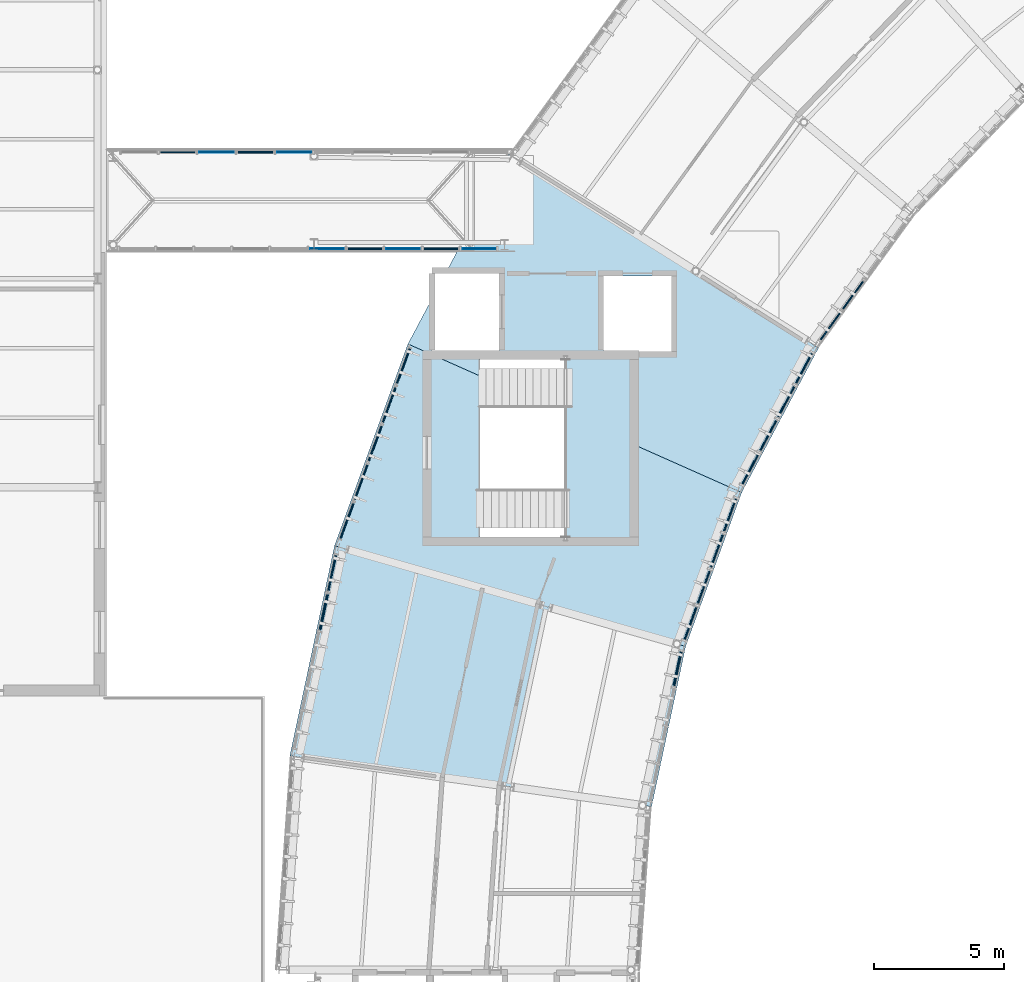
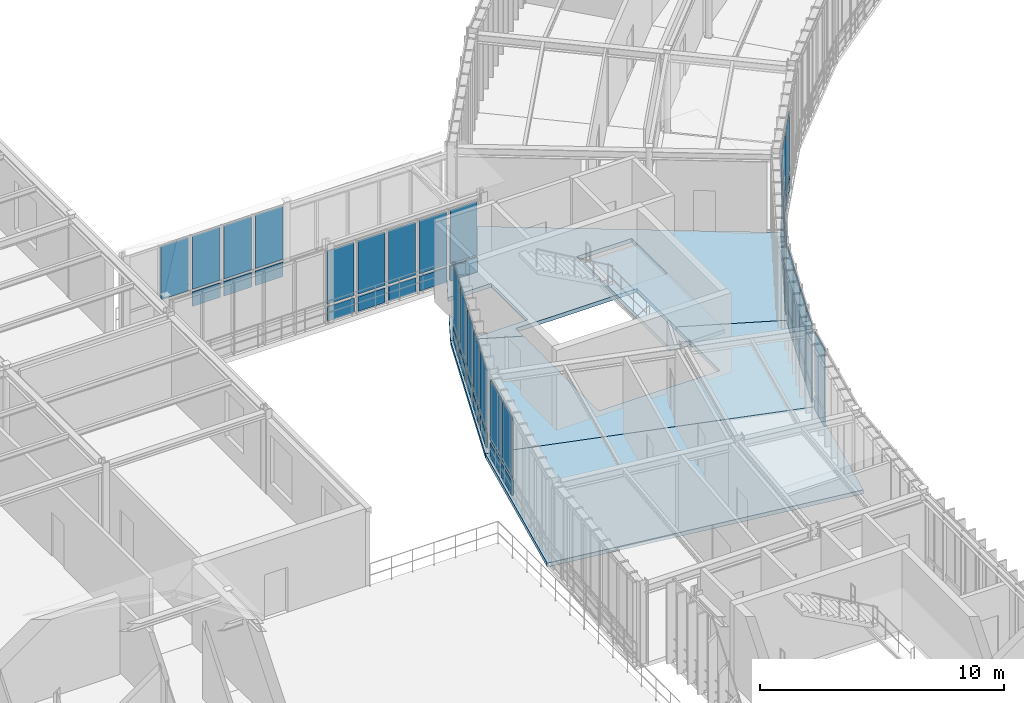
# One storey, part 25 of 52: 53 plates, 4 slabs, 9 elements without a shape of their own.
"""IFC4 building model written with IfcOpenShell, lengths in metres."""

from ifc_helpers import new_model, si_unit, direction, frame, origin, origin_2d, place, context, subcontext, project, spatial, polyline, rectangle, outline, extrude, material, layer, layer_set, type_object, element, aggregate, save


model = new_model("IFC4")

# Units and contexts
model_context = context("Model", 3, precision=1e-05, world=origin(), true_north=direction((0.0, 1.0)))
body_context = subcontext(model_context, "Body", "Model", "MODEL_VIEW")
ifc_project = project(units=[si_unit("LENGTHUNIT", "METRE"), si_unit("AREAUNIT", "SQUARE_METRE"), si_unit("VOLUMEUNIT", "CUBIC_METRE"), si_unit("PLANEANGLEUNIT", "RADIAN"), si_unit("MASSUNIT", "GRAM", prefix="KILO"), si_unit("THERMODYNAMICTEMPERATUREUNIT", "KELVIN"), si_unit("POWERUNIT", "WATT")], contexts=[model_context])

# Site, building, storey
site_placement = place(None, origin())
site = spatial("IfcSite", under=ifc_project, at=site_placement, CompositionType="ELEMENT")
building_placement = place(site_placement, origin())
building = spatial("IfcBuilding", under=site, at=building_placement, Name="Solvatero Civic Police Headquarters", CompositionType="ELEMENT")
storey_placement = place(building_placement, frame((0.0, 0.0, 13.5)))
storey = spatial("IfcBuildingStorey", under=building, at=storey_placement, Name="L03", CompositionType="ELEMENT", Elevation=13.5)

# Curtain wall, plate
ifc_material_1 = material(Name="Anodized Bronze Aluminium", Category="aluminium")
ifc_layer_1 = layer(ifc_material_1, 0.179931640625)
ifc_layer_set_1 = layer_set([ifc_layer_1], Name="Anodized Bronze Aluminium")
curtain_wall_type_1 = type_object("IfcCurtainWallType", Name="CW-ARC-IN", PredefinedType="USERDEFINED", material=ifc_layer_set_1)
curtain_wall_1_placement = place(storey_placement, origin())
curtain_wall_1 = element("IfcCurtainWall", 1, at=curtain_wall_1_placement, inside=storey, type_object=curtain_wall_type_1, Name="Curtain Wall CW-R2-L03-ARC-IN-B08", ObjectType="UNITISED", PredefinedType="USERDEFINED")
ifc_material_2 = material(Name="Triple Low-E Laminated Glass", Category="glass")
ifc_layer_2 = layer(ifc_material_2, 0.0380859375)
ifc_layer_set_2 = layer_set([ifc_layer_2], Name="Triple Low-E Laminated Glass")
plate_type_1 = type_object("IfcPlateType", Name="CWP-GLZ-38", PredefinedType="CURTAIN_PANEL", material=ifc_layer_set_2)
plate_1_placement = place(storey_placement, frame((57.156494140625, 51.864990234375, 0.91015625), z_axis=(0.0, 0.0, 1.0), x_axis=(-0.587771132193, -0.80902725304, 0.0)))
plate_1 = element("IfcPlate", 2, at=plate_1_placement, type_object=plate_type_1, Name="CW-R2-L03-ARC-IN-B08 Vision Glazing 3", PredefinedType="CURTAIN_PANEL", context=body_context, shape_type="SweptSolid", body=[
    extrude(rectangle(XDim=1.28173828125, YDim=0.0380859375, at=origin_2d()), origin(), (0.0, 0.0, 1.0), 3.030029296875),
])

# Curtain wall, plates
curtain_wall_2_placement = place(storey_placement, origin())
curtain_wall_2 = element("IfcCurtainWall", 3, at=curtain_wall_2_placement, inside=storey, type_object=curtain_wall_type_1, Name="Curtain Wall CW-R2-L03-ARC-IN-B09", ObjectType="UNITISED", PredefinedType="USERDEFINED")
plate_2_placement = place(storey_placement, frame((54.6015625, 47.776123046875, 0.91015625), z_axis=(0.0, 0.0, 1.0), x_axis=(-0.469486973057, -0.8829393989, 0.0)))
plate_2 = element("IfcPlate", 4, at=plate_2_placement, type_object=plate_type_1, Name="CW-R2-L03-ARC-IN-B09 Vision Glazing 2", PredefinedType="CURTAIN_PANEL", context=body_context, shape_type="SweptSolid", body=[
    extrude(rectangle(XDim=1.28173828125, YDim=0.0380859375, at=origin_2d()), origin(), (0.0, 0.0, 1.0), 3.030029296875),
])
plate_3_placement = place(storey_placement, frame((53.22900390625, 45.195068359375, 0.91015625), z_axis=(0.0, 0.0, 1.0), x_axis=(-0.469486973057, -0.8829393989, 0.0)))
plate_3 = element("IfcPlate", 5, at=plate_3_placement, type_object=plate_type_1, Name="CW-R2-L03-ARC-IN-B09 Vision Glazing 4", PredefinedType="CURTAIN_PANEL", context=body_context, shape_type="SweptSolid", body=[
    extrude(rectangle(XDim=1.28173828125, YDim=0.0380859375, at=origin_2d()), origin(), (0.0, 0.0, 1.0), 3.030029296875),
])

ifc_layer_3 = layer(ifc_material_1, 0.179931640625)
ifc_layer_set_3 = layer_set([ifc_layer_3], Name="Anodized Bronze Aluminium")
curtain_wall_type_2 = type_object("IfcCurtainWallType", Name="CW-ARC-OUT", PredefinedType="USERDEFINED", material=ifc_layer_set_3)
curtain_wall_3_placement = place(storey_placement, origin())
curtain_wall_3 = element("IfcCurtainWall", 6, at=curtain_wall_3_placement, inside=storey, type_object=curtain_wall_type_2, Name="Curtain Wall CW-R2-L03-ARC-OUT-B10", ObjectType="UNITISED", PredefinedType="USERDEFINED")
plate_4_placement = place(storey_placement, frame((39.919921875, 49.150146484375, 0.91015625), z_axis=(0.0, 0.0, 1.0), x_axis=(-0.342020143326, -0.939692620786, 0.0)))
plate_4 = element("IfcPlate", 7, at=plate_4_placement, type_object=plate_type_1, Name="CW-R2-L03-ARC-OUT-B10 Vision Glazing 1", PredefinedType="CURTAIN_PANEL", context=body_context, shape_type="SweptSolid", body=[
    extrude(rectangle(XDim=1.399658203125, YDim=0.0380859375, at=origin_2d()), origin(), (0.0, 0.0, 1.0), 3.030029296875),
])
plate_5_placement = place(storey_placement, frame((38.839111328125, 46.18115234375, 0.91015625), z_axis=(0.0, 0.0, 1.0), x_axis=(-0.342020143326, -0.939692620786, 0.0)))
plate_5 = element("IfcPlate", 8, at=plate_5_placement, type_object=plate_type_1, Name="CW-R2-L03-ARC-OUT-B10 Vision Glazing 3", PredefinedType="CURTAIN_PANEL", context=body_context, shape_type="SweptSolid", body=[
    extrude(rectangle(XDim=1.399658203125, YDim=0.0380859375, at=origin_2d()), origin(), (0.0, 0.0, 1.0), 3.030029296875),
])
plate_6_placement = place(storey_placement, frame((37.758544921875, 43.21240234375, 0.91015625), z_axis=(0.0, 0.0, 1.0), x_axis=(-0.342020143326, -0.939692620786, 0.0)))
plate_6 = element("IfcPlate", 9, at=plate_6_placement, type_object=plate_type_1, Name="CW-R2-L03-ARC-OUT-B10 Vision Glazing 5", PredefinedType="CURTAIN_PANEL", context=body_context, shape_type="SweptSolid", body=[
    extrude(rectangle(XDim=1.399658203125, YDim=0.0380859375, at=origin_2d()), origin(), (0.0, 0.0, 1.0), 3.030029296875),
])

curtain_wall_4_placement = place(storey_placement, origin())
curtain_wall_4 = element("IfcCurtainWall", 10, at=curtain_wall_4_placement, inside=storey, type_object=curtain_wall_type_1, Name="Curtain Wall CW-R2-L03-ARC-IN-B10", ObjectType="UNITISED", PredefinedType="USERDEFINED")
plate_7_placement = place(storey_placement, frame((51.9462890625, 42.058837890625, 0.91015625), z_axis=(0.0, 0.0, 1.0), x_axis=(-0.342020143326, -0.939692620786, 0.0)))
plate_7 = element("IfcPlate", 11, at=plate_7_placement, type_object=plate_type_1, Name="CW-R2-L03-ARC-IN-B10 Vision Glazing 2", PredefinedType="CURTAIN_PANEL", context=body_context, shape_type="SweptSolid", body=[
    extrude(rectangle(XDim=1.297607421875, YDim=0.0380859375, at=origin_2d()), origin(), (0.0, 0.0, 1.0), 3.030029296875),
])
plate_8_placement = place(storey_placement, frame((50.935546875, 39.28173828125, 0.91015625), z_axis=(0.0, 0.0, 1.0), x_axis=(-0.342020143326, -0.939692620786, 0.0)))
plate_8 = element("IfcPlate", 12, at=plate_8_placement, type_object=plate_type_1, Name="CW-R2-L03-ARC-IN-B10 Vision Glazing 4", PredefinedType="CURTAIN_PANEL", context=body_context, shape_type="SweptSolid", body=[
    extrude(rectangle(XDim=1.297607421875, YDim=0.0380859375, at=origin_2d()), origin(), (0.0, 0.0, 1.0), 3.030029296875),
])

# Curtain wall, plate
curtain_wall_5_placement = place(storey_placement, origin())
curtain_wall_5 = element("IfcCurtainWall", 13, at=curtain_wall_5_placement, inside=storey, type_object=curtain_wall_type_2, Name="Curtain Wall CW-R2-L03-ARC-OUT-B11", ObjectType="UNITISED", PredefinedType="USERDEFINED")
plate_9_placement = place(storey_placement, frame((37.1875, 41.2255859375, 0.91015625), z_axis=(0.0, 0.0, 1.0), x_axis=(-0.207928762682, -0.978143971841, 0.0)))
plate_9 = element("IfcPlate", 14, at=plate_9_placement, type_object=plate_type_1, Name="CW-R2-L03-ARC-OUT-B11 Vision Glazing 1", PredefinedType="CURTAIN_PANEL", context=body_context, shape_type="SweptSolid", body=[
    extrude(rectangle(XDim=1.360595703125, YDim=0.0380859375, at=origin_2d()), origin(), (0.0, 0.0, 1.0), 3.030029296875),
])

# Curtain wall, plates
ifc_layer_4 = layer(ifc_material_1, 0.179931640625)
ifc_layer_set_4 = layer_set([ifc_layer_4], Name="Anodized Bronze Aluminium")
curtain_wall_type_3 = type_object("IfcCurtainWallType", Name="CW-SB-GLZ", PredefinedType="USERDEFINED", material=ifc_layer_set_4)
curtain_wall_6_placement = place(storey_placement, origin())
curtain_wall_6 = element("IfcCurtainWall", 15, at=curtain_wall_6_placement, inside=storey, type_object=curtain_wall_type_3, Name="Curtain Wall CW-R2-L03-SB1-S", ObjectType="UNITISED", PredefinedType="USERDEFINED")
plate_10_placement = place(storey_placement, frame((36.997314453125, 53.64990234375, 0.91015625), z_axis=(0.0, 0.0, 1.0), x_axis=(1.0, 0.0, 0.0)))
plate_10 = element("IfcPlate", 16, at=plate_10_placement, type_object=plate_type_1, Name="CW-R2-L03-SB1-S Vision Glazing 6", PredefinedType="CURTAIN_PANEL", context=body_context, shape_type="SweptSolid", body=[
    extrude(rectangle(XDim=1.2783203125, YDim=0.0380859375, at=origin_2d()), origin(), (0.0, 0.0, 1.0), 2.679931640625),
])
plate_11_placement = place(storey_placement, frame((39.9140625, 53.64990234375, 0.91015625), z_axis=(0.0, 0.0, 1.0), x_axis=(1.0, 0.0, 0.0)))
plate_11 = element("IfcPlate", 17, at=plate_11_placement, type_object=plate_type_1, Name="CW-R2-L03-SB1-S Vision Glazing 8", PredefinedType="CURTAIN_PANEL", context=body_context, shape_type="SweptSolid", body=[
    extrude(rectangle(XDim=1.2783203125, YDim=0.0380859375, at=origin_2d()), origin(), (0.0, 0.0, 1.0), 2.679931640625),
])
plate_12_placement = place(storey_placement, frame((42.830810546875, 53.64990234375, 0.91015625), z_axis=(0.0, 0.0, 1.0), x_axis=(1.0, 0.0, 0.0)))
plate_12 = element("IfcPlate", 18, at=plate_12_placement, type_object=plate_type_1, Name="CW-R2-L03-SB1-S Vision Glazing 10", PredefinedType="CURTAIN_PANEL", context=body_context, shape_type="SweptSolid", body=[
    extrude(rectangle(XDim=1.2783203125, YDim=0.0380859375, at=origin_2d()), origin(), (0.0, 0.0, 1.0), 2.679931640625),
])

curtain_wall_7_placement = place(storey_placement, origin())
curtain_wall_7 = element("IfcCurtainWall", 19, at=curtain_wall_7_placement, inside=storey, type_object=curtain_wall_type_3, Name="Curtain Wall CW-R2-L03-SB1-N", ObjectType="UNITISED", PredefinedType="USERDEFINED")
plate_13_placement = place(storey_placement, frame((32.764892578125, 57.35009765625, 0.91015625), z_axis=(0.0, 0.0, 1.0), x_axis=(1.0, 0.0, 0.0)))
plate_13 = element("IfcPlate", 20, at=plate_13_placement, type_object=plate_type_1, Name="CW-R2-L03-SB1-N Vision Glazing 3", PredefinedType="CURTAIN_PANEL", context=body_context, shape_type="SweptSolid", body=[
    extrude(rectangle(XDim=1.31005859375, YDim=0.0380859375, at=origin_2d()), origin(), (0.0, 0.0, 1.0), 2.679931640625),
])
plate_14_placement = place(storey_placement, frame((35.7451171875, 57.35009765625, 0.91015625), z_axis=(0.0, 0.0, 1.0), x_axis=(1.0, 0.0, 0.0)))
plate_14 = element("IfcPlate", 21, at=plate_14_placement, type_object=plate_type_1, Name="CW-R2-L03-SB1-N Vision Glazing 5", PredefinedType="CURTAIN_PANEL", context=body_context, shape_type="SweptSolid", body=[
    extrude(rectangle(XDim=1.31005859375, YDim=0.0380859375, at=origin_2d()), origin(), (0.0, 0.0, 1.0), 2.679931640625),
])

# Plate
ifc_material_3 = material(Name="Acoustic Ballistic Laminated Glass", Category="glass")
ifc_layer_5 = layer(ifc_material_3, 0.0439453125)
ifc_layer_set_5 = layer_set([ifc_layer_5], Name="Acoustic Ballistic Laminated Glass")
plate_type_2 = type_object("IfcPlateType", Name="CWP-GLZ-44", PredefinedType="CURTAIN_PANEL", material=ifc_layer_set_5)
plate_15_placement = place(storey_placement, frame((56.297119140625, 50.682373046875, 0.91015625), z_axis=(0.0, 0.0, 1.0), x_axis=(-0.587771132193, -0.80902725304, 0.0)))
plate_15 = element("IfcPlate", 22, at=plate_15_placement, type_object=plate_type_2, Name="CW-R2-L03-ARC-IN-B08 Vision Glazing 4", PredefinedType="CURTAIN_PANEL", context=body_context, shape_type="SweptSolid", body=[
    extrude(rectangle(XDim=1.28173828125, YDim=0.0439453125, at=origin_2d()), origin(), (0.0, 0.0, 1.0), 3.030029296875),
])

plate_16_placement = place(storey_placement, frame((55.287841796875, 49.06689453125, 0.91015625), z_axis=(0.0, 0.0, 1.0), x_axis=(-0.469486973057, -0.8829393989, 0.0)))
plate_16 = element("IfcPlate", 23, at=plate_16_placement, type_object=plate_type_2, Name="CW-R2-L03-ARC-IN-B09 Vision Glazing 1", PredefinedType="CURTAIN_PANEL", context=body_context, shape_type="SweptSolid", body=[
    extrude(rectangle(XDim=1.28173828125, YDim=0.0439453125, at=origin_2d()), origin(), (0.0, 0.0, 1.0), 3.030029296875),
])

plate_17_placement = place(storey_placement, frame((53.915283203125, 46.485595703125, 0.91015625), z_axis=(0.0, 0.0, 1.0), x_axis=(-0.469486973057, -0.8829393989, 0.0)))
plate_17 = element("IfcPlate", 24, at=plate_17_placement, type_object=plate_type_2, Name="CW-R2-L03-ARC-IN-B09 Vision Glazing 3", PredefinedType="CURTAIN_PANEL", context=body_context, shape_type="SweptSolid", body=[
    extrude(rectangle(XDim=1.28173828125, YDim=0.0439453125, at=origin_2d()), origin(), (0.0, 0.0, 1.0), 3.030029296875),
])

plate_18_placement = place(storey_placement, frame((39.37939453125, 47.66552734375, 0.91015625), z_axis=(0.0, 0.0, 1.0), x_axis=(-0.342020143326, -0.939692620786, 0.0)))
plate_18 = element("IfcPlate", 25, at=plate_18_placement, type_object=plate_type_2, Name="CW-R2-L03-ARC-OUT-B10 Vision Glazing 2", PredefinedType="CURTAIN_PANEL", context=body_context, shape_type="SweptSolid", body=[
    extrude(rectangle(XDim=1.399658203125, YDim=0.0439453125, at=origin_2d()), origin(), (0.0, 0.0, 1.0), 3.030029296875),
])

plate_19_placement = place(storey_placement, frame((38.298828125, 44.69677734375, 0.91015625), z_axis=(0.0, 0.0, 1.0), x_axis=(-0.342020143326, -0.939692620786, 0.0)))
plate_19 = element("IfcPlate", 26, at=plate_19_placement, type_object=plate_type_2, Name="CW-R2-L03-ARC-OUT-B10 Vision Glazing 4", PredefinedType="CURTAIN_PANEL", context=body_context, shape_type="SweptSolid", body=[
    extrude(rectangle(XDim=1.399658203125, YDim=0.0439453125, at=origin_2d()), origin(), (0.0, 0.0, 1.0), 3.030029296875),
])

plate_20_placement = place(storey_placement, frame((52.451416015625, 43.447265625, 0.91015625), z_axis=(0.0, 0.0, 1.0), x_axis=(-0.342020143326, -0.939692620786, 0.0)))
plate_20 = element("IfcPlate", 27, at=plate_20_placement, type_object=plate_type_2, Name="CW-R2-L03-ARC-IN-B10 Vision Glazing 1", PredefinedType="CURTAIN_PANEL", context=body_context, shape_type="SweptSolid", body=[
    extrude(rectangle(XDim=1.297607421875, YDim=0.0439453125, at=origin_2d()), origin(), (0.0, 0.0, 1.0), 3.030029296875),
])

plate_21_placement = place(storey_placement, frame((51.44091796875, 40.67041015625, 0.91015625), z_axis=(0.0, 0.0, 1.0), x_axis=(-0.342020143326, -0.939692620786, 0.0)))
plate_21 = element("IfcPlate", 28, at=plate_21_placement, type_object=plate_type_2, Name="CW-R2-L03-ARC-IN-B10 Vision Glazing 3", PredefinedType="CURTAIN_PANEL", context=body_context, shape_type="SweptSolid", body=[
    extrude(rectangle(XDim=1.297607421875, YDim=0.0439453125, at=origin_2d()), origin(), (0.0, 0.0, 1.0), 3.030029296875),
])

plate_22_placement = place(storey_placement, frame((36.8671875, 39.718994140625, 0.91015625), z_axis=(0.0, 0.0, 1.0), x_axis=(-0.207928762682, -0.978143971841, 0.0)))
plate_22 = element("IfcPlate", 29, at=plate_22_placement, type_object=plate_type_2, Name="CW-R2-L03-ARC-OUT-B11 Vision Glazing 2", PredefinedType="CURTAIN_PANEL", context=body_context, shape_type="SweptSolid", body=[
    extrude(rectangle(XDim=1.360595703125, YDim=0.0439453125, at=origin_2d()), origin(), (0.0, 0.0, 1.0), 3.030029296875),
])

# Curtain wall, plate
curtain_wall_8_placement = place(storey_placement, origin())
curtain_wall_8 = element("IfcCurtainWall", 30, at=curtain_wall_8_placement, inside=storey, type_object=curtain_wall_type_1, Name="Curtain Wall CW-R2-L03-ARC-IN-B11", ObjectType="UNITISED", PredefinedType="USERDEFINED")
plate_23_placement = place(storey_placement, frame((50.439208984375, 37.54931640625, 0.91015625), z_axis=(0.0, 0.0, 1.0), x_axis=(-0.207911690818, -0.978147600734, 0.0)))
plate_23 = element("IfcPlate", 31, at=plate_23_placement, type_object=plate_type_2, Name="CW-R2-L03-ARC-IN-B11 Vision Glazing 1", PredefinedType="CURTAIN_PANEL", context=body_context, shape_type="SweptSolid", body=[
    extrude(rectangle(XDim=1.3134765625, YDim=0.0439453125, at=origin_2d()), origin(), (0.0, 0.0, 1.0), 3.030029296875),
])

# Plate
plate_24_placement = place(storey_placement, frame((38.455810546875, 53.64990234375, 0.91015625), z_axis=(0.0, 0.0, 1.0), x_axis=(1.0, 0.0, 0.0)))
plate_24 = element("IfcPlate", 32, at=plate_24_placement, type_object=plate_type_2, Name="CW-R2-L03-SB1-S Vision Glazing 7", PredefinedType="CURTAIN_PANEL", context=body_context, shape_type="SweptSolid", body=[
    extrude(rectangle(XDim=1.2783203125, YDim=0.0439453125, at=origin_2d()), origin(), (0.0, 0.0, 1.0), 2.679931640625),
])

plate_25_placement = place(storey_placement, frame((41.37255859375, 53.64990234375, 0.91015625), z_axis=(0.0, 0.0, 1.0), x_axis=(1.0, 0.0, 0.0)))
plate_25 = element("IfcPlate", 33, at=plate_25_placement, type_object=plate_type_2, Name="CW-R2-L03-SB1-S Vision Glazing 9", PredefinedType="CURTAIN_PANEL", context=body_context, shape_type="SweptSolid", body=[
    extrude(rectangle(XDim=1.2783203125, YDim=0.0439453125, at=origin_2d()), origin(), (0.0, 0.0, 1.0), 2.679931640625),
])

plate_26_placement = place(storey_placement, frame((31.27490234375, 57.35009765625, 0.91015625), z_axis=(0.0, 0.0, 1.0), x_axis=(1.0, 0.0, 0.0)))
plate_26 = element("IfcPlate", 34, at=plate_26_placement, type_object=plate_type_2, Name="CW-R2-L03-SB1-N Vision Glazing 2", PredefinedType="CURTAIN_PANEL", context=body_context, shape_type="SweptSolid", body=[
    extrude(rectangle(XDim=1.31005859375, YDim=0.0439453125, at=origin_2d()), origin(), (0.0, 0.0, 1.0), 2.679931640625),
])

plate_27_placement = place(storey_placement, frame((34.2548828125, 57.35009765625, 0.91015625), z_axis=(0.0, 0.0, 1.0), x_axis=(1.0, 0.0, 0.0)))
plate_27 = element("IfcPlate", 35, at=plate_27_placement, type_object=plate_type_2, Name="CW-R2-L03-SB1-N Vision Glazing 4", PredefinedType="CURTAIN_PANEL", context=body_context, shape_type="SweptSolid", body=[
    extrude(rectangle(XDim=1.31005859375, YDim=0.0439453125, at=origin_2d()), origin(), (0.0, 0.0, 1.0), 2.679931640625),
])

ifc_material_4 = material(Name="Insulated Bronze Aluminium Spandrel", Category="aluminium")
ifc_layer_6 = layer(ifc_material_4, 0.06005859375)
ifc_layer_set_6 = layer_set([ifc_layer_6], Name="Insulated Bronze Aluminium Spandrel")
plate_type_3 = type_object("IfcPlateType", Name="CWP-SPN-60", PredefinedType="CURTAIN_PANEL", material=ifc_layer_set_6)
plate_28_placement = place(storey_placement, frame((57.156494140625, 51.864990234375, 0.06005859375), z_axis=(0.0, 0.0, 1.0), x_axis=(-0.587771132193, -0.80902725304, 0.0)))
plate_28 = element("IfcPlate", 36, at=plate_28_placement, type_object=plate_type_3, Name="CW-R2-L03-ARC-IN-B08 Spandrel Panel 3", PredefinedType="CURTAIN_PANEL", context=body_context, shape_type="SweptSolid", body=[
    extrude(rectangle(XDim=1.28173828125, YDim=0.06005859375, at=origin_2d()), origin(), (0.0, 0.0, 1.0), 0.72998046875),
])

plate_29_placement = place(storey_placement, frame((54.6015625, 47.776123046875, 0.06005859375), z_axis=(0.0, 0.0, 1.0), x_axis=(-0.469486973057, -0.8829393989, 0.0)))
plate_29 = element("IfcPlate", 37, at=plate_29_placement, type_object=plate_type_3, Name="CW-R2-L03-ARC-IN-B09 Spandrel Panel 2", PredefinedType="CURTAIN_PANEL", context=body_context, shape_type="SweptSolid", body=[
    extrude(rectangle(XDim=1.28173828125, YDim=0.06005859375, at=origin_2d()), origin(), (0.0, 0.0, 1.0), 0.72998046875),
])

plate_30_placement = place(storey_placement, frame((53.22900390625, 45.195068359375, 0.06005859375), z_axis=(0.0, 0.0, 1.0), x_axis=(-0.469486973057, -0.8829393989, 0.0)))
plate_30 = element("IfcPlate", 38, at=plate_30_placement, type_object=plate_type_3, Name="CW-R2-L03-ARC-IN-B09 Spandrel Panel 4", PredefinedType="CURTAIN_PANEL", context=body_context, shape_type="SweptSolid", body=[
    extrude(rectangle(XDim=1.28173828125, YDim=0.06005859375, at=origin_2d()), origin(), (0.0, 0.0, 1.0), 0.72998046875),
])

plate_31_placement = place(storey_placement, frame((39.919921875, 49.150146484375, 0.06005859375), z_axis=(0.0, 0.0, 1.0), x_axis=(-0.342020143326, -0.939692620786, 0.0)))
plate_31 = element("IfcPlate", 39, at=plate_31_placement, type_object=plate_type_3, Name="CW-R2-L03-ARC-OUT-B10 Spandrel Panel 1", PredefinedType="CURTAIN_PANEL", context=body_context, shape_type="SweptSolid", body=[
    extrude(rectangle(XDim=1.399658203125, YDim=0.06005859375, at=origin_2d()), origin(), (0.0, 0.0, 1.0), 0.72998046875),
])

plate_32_placement = place(storey_placement, frame((38.839111328125, 46.18115234375, 0.06005859375), z_axis=(0.0, 0.0, 1.0), x_axis=(-0.342020143326, -0.939692620786, 0.0)))
plate_32 = element("IfcPlate", 40, at=plate_32_placement, type_object=plate_type_3, Name="CW-R2-L03-ARC-OUT-B10 Spandrel Panel 3", PredefinedType="CURTAIN_PANEL", context=body_context, shape_type="SweptSolid", body=[
    extrude(rectangle(XDim=1.399658203125, YDim=0.06005859375, at=origin_2d()), origin(), (0.0, 0.0, 1.0), 0.72998046875),
])

plate_33_placement = place(storey_placement, frame((37.758544921875, 43.21240234375, 0.06005859375), z_axis=(0.0, 0.0, 1.0), x_axis=(-0.342020143326, -0.939692620786, 0.0)))
plate_33 = element("IfcPlate", 41, at=plate_33_placement, type_object=plate_type_3, Name="CW-R2-L03-ARC-OUT-B10 Spandrel Panel 5", PredefinedType="CURTAIN_PANEL", context=body_context, shape_type="SweptSolid", body=[
    extrude(rectangle(XDim=1.399658203125, YDim=0.06005859375, at=origin_2d()), origin(), (0.0, 0.0, 1.0), 0.72998046875),
])

plate_34_placement = place(storey_placement, frame((51.9462890625, 42.058837890625, 0.06005859375), z_axis=(0.0, 0.0, 1.0), x_axis=(-0.342020143326, -0.939692620786, 0.0)))
plate_34 = element("IfcPlate", 42, at=plate_34_placement, type_object=plate_type_3, Name="CW-R2-L03-ARC-IN-B10 Spandrel Panel 2", PredefinedType="CURTAIN_PANEL", context=body_context, shape_type="SweptSolid", body=[
    extrude(rectangle(XDim=1.297607421875, YDim=0.06005859375, at=origin_2d()), origin(), (0.0, 0.0, 1.0), 0.72998046875),
])

plate_35_placement = place(storey_placement, frame((50.935546875, 39.28173828125, 0.06005859375), z_axis=(0.0, 0.0, 1.0), x_axis=(-0.342020143326, -0.939692620786, 0.0)))
plate_35 = element("IfcPlate", 43, at=plate_35_placement, type_object=plate_type_3, Name="CW-R2-L03-ARC-IN-B10 Spandrel Panel 4", PredefinedType="CURTAIN_PANEL", context=body_context, shape_type="SweptSolid", body=[
    extrude(rectangle(XDim=1.297607421875, YDim=0.06005859375, at=origin_2d()), origin(), (0.0, 0.0, 1.0), 0.72998046875),
])

plate_36_placement = place(storey_placement, frame((37.1875, 41.2255859375, 0.06005859375), z_axis=(0.0, 0.0, 1.0), x_axis=(-0.207928762682, -0.978143971841, 0.0)))
plate_36 = element("IfcPlate", 44, at=plate_36_placement, type_object=plate_type_3, Name="CW-R2-L03-ARC-OUT-B11 Spandrel Panel 1", PredefinedType="CURTAIN_PANEL", context=body_context, shape_type="SweptSolid", body=[
    extrude(rectangle(XDim=1.360595703125, YDim=0.06005859375, at=origin_2d()), origin(), (0.0, 0.0, 1.0), 0.72998046875),
])

plate_37_placement = place(storey_placement, frame((36.997314453125, 53.64990234375, 0.06005859375), z_axis=(0.0, 0.0, 1.0), x_axis=(1.0, 0.0, 0.0)))
plate_37 = element("IfcPlate", 45, at=plate_37_placement, type_object=plate_type_3, Name="CW-R2-L03-SB1-S Spandrel Panel 6", PredefinedType="CURTAIN_PANEL", context=body_context, shape_type="SweptSolid", body=[
    extrude(rectangle(XDim=1.2783203125, YDim=0.06005859375, at=origin_2d()), origin(), (0.0, 0.0, 1.0), 0.72998046875),
])

plate_38_placement = place(storey_placement, frame((39.9140625, 53.64990234375, 0.06005859375), z_axis=(0.0, 0.0, 1.0), x_axis=(1.0, 0.0, 0.0)))
plate_38 = element("IfcPlate", 46, at=plate_38_placement, type_object=plate_type_3, Name="CW-R2-L03-SB1-S Spandrel Panel 8", PredefinedType="CURTAIN_PANEL", context=body_context, shape_type="SweptSolid", body=[
    extrude(rectangle(XDim=1.2783203125, YDim=0.06005859375, at=origin_2d()), origin(), (0.0, 0.0, 1.0), 0.72998046875),
])

plate_39_placement = place(storey_placement, frame((42.830810546875, 53.64990234375, 0.06005859375), z_axis=(0.0, 0.0, 1.0), x_axis=(1.0, 0.0, 0.0)))
plate_39 = element("IfcPlate", 47, at=plate_39_placement, type_object=plate_type_3, Name="CW-R2-L03-SB1-S Spandrel Panel 10", PredefinedType="CURTAIN_PANEL", context=body_context, shape_type="SweptSolid", body=[
    extrude(rectangle(XDim=1.2783203125, YDim=0.06005859375, at=origin_2d()), origin(), (0.0, 0.0, 1.0), 0.72998046875),
])

plate_40_placement = place(storey_placement, frame((32.764892578125, 57.35009765625, 0.06005859375), z_axis=(0.0, 0.0, 1.0), x_axis=(1.0, 0.0, 0.0)))
plate_40 = element("IfcPlate", 48, at=plate_40_placement, type_object=plate_type_3, Name="CW-R2-L03-SB1-N Spandrel Panel 3", PredefinedType="CURTAIN_PANEL", context=body_context, shape_type="SweptSolid", body=[
    extrude(rectangle(XDim=1.31005859375, YDim=0.06005859375, at=origin_2d()), origin(), (0.0, 0.0, 1.0), 0.72998046875),
])

plate_41_placement = place(storey_placement, frame((35.7451171875, 57.35009765625, 0.06005859375), z_axis=(0.0, 0.0, 1.0), x_axis=(1.0, 0.0, 0.0)))
plate_41 = element("IfcPlate", 49, at=plate_41_placement, type_object=plate_type_3, Name="CW-R2-L03-SB1-N Spandrel Panel 5", PredefinedType="CURTAIN_PANEL", context=body_context, shape_type="SweptSolid", body=[
    extrude(rectangle(XDim=1.31005859375, YDim=0.06005859375, at=origin_2d()), origin(), (0.0, 0.0, 1.0), 0.72998046875),
])

ifc_material_5 = material(Name="Limestone Veneer Spandrel Panel", Category="masonry")
ifc_layer_7 = layer(ifc_material_5, 0.074951171875)
ifc_layer_set_7 = layer_set([ifc_layer_7], Name="Limestone Veneer Spandrel Panel")
plate_type_4 = type_object("IfcPlateType", Name="CWP-SPN-75", PredefinedType="CURTAIN_PANEL", material=ifc_layer_set_7)
plate_42_placement = place(storey_placement, frame((56.297119140625, 50.682373046875, 0.06005859375), z_axis=(0.0, 0.0, 1.0), x_axis=(-0.587771132193, -0.80902725304, 0.0)))
plate_42 = element("IfcPlate", 50, at=plate_42_placement, type_object=plate_type_4, Name="CW-R2-L03-ARC-IN-B08 Spandrel Panel 4", PredefinedType="CURTAIN_PANEL", context=body_context, shape_type="SweptSolid", body=[
    extrude(rectangle(XDim=1.28173828125, YDim=0.074951171875, at=origin_2d()), origin(), (0.0, 0.0, 1.0), 0.72998046875),
])

aggregate(curtain_wall_1, [plate_28, plate_1, plate_42, plate_15])

plate_43_placement = place(storey_placement, frame((55.287841796875, 49.06689453125, 0.06005859375), z_axis=(0.0, 0.0, 1.0), x_axis=(-0.469486973057, -0.8829393989, 0.0)))
plate_43 = element("IfcPlate", 51, at=plate_43_placement, type_object=plate_type_4, Name="CW-R2-L03-ARC-IN-B09 Spandrel Panel 1", PredefinedType="CURTAIN_PANEL", context=body_context, shape_type="SweptSolid", body=[
    extrude(rectangle(XDim=1.28173828125, YDim=0.074951171875, at=origin_2d()), origin(), (0.0, 0.0, 1.0), 0.72998046875),
])

plate_44_placement = place(storey_placement, frame((53.915283203125, 46.485595703125, 0.06005859375), z_axis=(0.0, 0.0, 1.0), x_axis=(-0.469486973057, -0.8829393989, 0.0)))
plate_44 = element("IfcPlate", 52, at=plate_44_placement, type_object=plate_type_4, Name="CW-R2-L03-ARC-IN-B09 Spandrel Panel 3", PredefinedType="CURTAIN_PANEL", context=body_context, shape_type="SweptSolid", body=[
    extrude(rectangle(XDim=1.28173828125, YDim=0.074951171875, at=origin_2d()), origin(), (0.0, 0.0, 1.0), 0.72998046875),
])

aggregate(curtain_wall_2, [plate_43, plate_16, plate_29, plate_2, plate_44, plate_17, plate_30, plate_3])

plate_45_placement = place(storey_placement, frame((39.37939453125, 47.66552734375, 0.06005859375), z_axis=(0.0, 0.0, 1.0), x_axis=(-0.342020143326, -0.939692620786, 0.0)))
plate_45 = element("IfcPlate", 53, at=plate_45_placement, type_object=plate_type_4, Name="CW-R2-L03-ARC-OUT-B10 Spandrel Panel 2", PredefinedType="CURTAIN_PANEL", context=body_context, shape_type="SweptSolid", body=[
    extrude(rectangle(XDim=1.399658203125, YDim=0.074951171875, at=origin_2d()), origin(), (0.0, 0.0, 1.0), 0.72998046875),
])

plate_46_placement = place(storey_placement, frame((38.298828125, 44.69677734375, 0.06005859375), z_axis=(0.0, 0.0, 1.0), x_axis=(-0.342020143326, -0.939692620786, 0.0)))
plate_46 = element("IfcPlate", 54, at=plate_46_placement, type_object=plate_type_4, Name="CW-R2-L03-ARC-OUT-B10 Spandrel Panel 4", PredefinedType="CURTAIN_PANEL", context=body_context, shape_type="SweptSolid", body=[
    extrude(rectangle(XDim=1.399658203125, YDim=0.074951171875, at=origin_2d()), origin(), (0.0, 0.0, 1.0), 0.72998046875),
])

aggregate(curtain_wall_3, [plate_31, plate_4, plate_45, plate_18, plate_32, plate_5, plate_46, plate_19, plate_33, plate_6])

plate_47_placement = place(storey_placement, frame((52.451416015625, 43.447265625, 0.06005859375), z_axis=(0.0, 0.0, 1.0), x_axis=(-0.342020143326, -0.939692620786, 0.0)))
plate_47 = element("IfcPlate", 55, at=plate_47_placement, type_object=plate_type_4, Name="CW-R2-L03-ARC-IN-B10 Spandrel Panel 1", PredefinedType="CURTAIN_PANEL", context=body_context, shape_type="SweptSolid", body=[
    extrude(rectangle(XDim=1.297607421875, YDim=0.074951171875, at=origin_2d()), origin(), (0.0, 0.0, 1.0), 0.72998046875),
])

plate_48_placement = place(storey_placement, frame((51.44091796875, 40.67041015625, 0.06005859375), z_axis=(0.0, 0.0, 1.0), x_axis=(-0.342020143326, -0.939692620786, 0.0)))
plate_48 = element("IfcPlate", 56, at=plate_48_placement, type_object=plate_type_4, Name="CW-R2-L03-ARC-IN-B10 Spandrel Panel 3", PredefinedType="CURTAIN_PANEL", context=body_context, shape_type="SweptSolid", body=[
    extrude(rectangle(XDim=1.297607421875, YDim=0.074951171875, at=origin_2d()), origin(), (0.0, 0.0, 1.0), 0.72998046875),
])

aggregate(curtain_wall_4, [plate_47, plate_20, plate_34, plate_7, plate_48, plate_21, plate_35, plate_8])

plate_49_placement = place(storey_placement, frame((36.8671875, 39.718994140625, 0.06005859375), z_axis=(0.0, 0.0, 1.0), x_axis=(-0.207928762682, -0.978143971841, 0.0)))
plate_49 = element("IfcPlate", 57, at=plate_49_placement, type_object=plate_type_4, Name="CW-R2-L03-ARC-OUT-B11 Spandrel Panel 2", PredefinedType="CURTAIN_PANEL", context=body_context, shape_type="SweptSolid", body=[
    extrude(rectangle(XDim=1.360595703125, YDim=0.074951171875, at=origin_2d()), origin(), (0.0, 0.0, 1.0), 0.72998046875),
])

aggregate(curtain_wall_5, [plate_36, plate_9, plate_49, plate_22])

plate_50_placement = place(storey_placement, frame((50.439208984375, 37.54931640625, 0.06005859375), z_axis=(0.0, 0.0, 1.0), x_axis=(-0.207911690818, -0.978147600734, 0.0)))
plate_50 = element("IfcPlate", 58, at=plate_50_placement, type_object=plate_type_4, Name="CW-R2-L03-ARC-IN-B11 Spandrel Panel 1", PredefinedType="CURTAIN_PANEL", context=body_context, shape_type="SweptSolid", body=[
    extrude(rectangle(XDim=1.3134765625, YDim=0.074951171875, at=origin_2d()), origin(), (0.0, 0.0, 1.0), 0.72998046875),
])

aggregate(curtain_wall_8, [plate_50, plate_23])

plate_51_placement = place(storey_placement, frame((38.455810546875, 53.64990234375, 0.06005859375), z_axis=(0.0, 0.0, 1.0), x_axis=(1.0, 0.0, 0.0)))
plate_51 = element("IfcPlate", 59, at=plate_51_placement, type_object=plate_type_4, Name="CW-R2-L03-SB1-S Spandrel Panel 7", PredefinedType="CURTAIN_PANEL", context=body_context, shape_type="SweptSolid", body=[
    extrude(rectangle(XDim=1.2783203125, YDim=0.074951171875, at=origin_2d()), origin(), (0.0, 0.0, 1.0), 0.72998046875),
])

plate_52_placement = place(storey_placement, frame((41.37255859375, 53.64990234375, 0.06005859375), z_axis=(0.0, 0.0, 1.0), x_axis=(1.0, 0.0, 0.0)))
plate_52 = element("IfcPlate", 60, at=plate_52_placement, type_object=plate_type_4, Name="CW-R2-L03-SB1-S Spandrel Panel 9", PredefinedType="CURTAIN_PANEL", context=body_context, shape_type="SweptSolid", body=[
    extrude(rectangle(XDim=1.2783203125, YDim=0.074951171875, at=origin_2d()), origin(), (0.0, 0.0, 1.0), 0.72998046875),
])

aggregate(curtain_wall_6, [plate_37, plate_10, plate_51, plate_24, plate_38, plate_11, plate_52, plate_25, plate_39, plate_12])

plate_53_placement = place(storey_placement, frame((34.2548828125, 57.35009765625, 0.06005859375), z_axis=(0.0, 0.0, 1.0), x_axis=(1.0, 0.0, 0.0)))
plate_53 = element("IfcPlate", 61, at=plate_53_placement, type_object=plate_type_4, Name="CW-R2-L03-SB1-N Spandrel Panel 4", PredefinedType="CURTAIN_PANEL", context=body_context, shape_type="SweptSolid", body=[
    extrude(rectangle(XDim=1.31005859375, YDim=0.074951171875, at=origin_2d()), origin(), (0.0, 0.0, 1.0), 0.72998046875),
])

aggregate(curtain_wall_7, [plate_26, plate_40, plate_13, plate_53, plate_27, plate_41, plate_14])

# Slabs
ifc_material_6 = material(Name="Concrete C35/45", Category="concrete")
ifc_layer_8 = layer(ifc_material_6, 0.199951171875)
ifc_layer_set_8 = layer_set([ifc_layer_8], Name="Concrete C35/45")
slab_type_1 = type_object("IfcSlabType", Name="SLB-COMP-200", PredefinedType="FLOOR", material=ifc_layer_set_8)
slab_1_placement = place(storey_placement, frame((0.0, 0.0, -0.199951171875)))
element("IfcSlab", 62, at=slab_1_placement, inside=storey, type_object=slab_type_1, Name="L03 Operations Arc Floor Slab Bay 9", PredefinedType="FLOOR", context=body_context, shape_type="SweptSolid", body=[
    extrude(outline(polyline([(52.890380859375, 44.302978515625), (48.60009765625, 46.21337890625), (48.60009765625, 49.39990234375), (42.860107421875, 49.39990234375), (42.860107421875, 48.76904296875), (40.100830078125, 49.99755859375), (41.0, 51.688720703125), (41.0, 49.699951171875), (43.60009765625, 49.699951171875), (43.60009765625, 52.699951171875), (41.537841796875, 52.699951171875), (43.96435546875, 57.263427734375), (55.8369140625, 49.844482421875), (52.890380859375, 44.302978515625)]), holes=[polyline([(50.199951171875, 49.699951171875), (50.199951171875, 52.60009765625), (47.60009765625, 52.60009765625), (47.60009765625, 49.699951171875), (50.199951171875, 49.699951171875)])]), origin(), (0.0, 0.0, 1.0), 0.199951171875),
])
slab_2_placement = place(storey_placement, frame((0.0, 0.0, -0.199951171875)))
element("IfcSlab", 63, at=slab_2_placement, inside=storey, type_object=slab_type_1, Name="L03 Operations Arc Floor Slab Bay 10", PredefinedType="FLOOR", context=body_context, shape_type="SweptSolid", body=[
    extrude(outline(polyline([(37.28564453125, 42.2626953125), (40.10009765625, 49.99560546875), (42.860107421875, 48.766845703125), (42.860107421875, 42.60009765625), (48.60009765625, 42.60009765625), (48.60009765625, 46.211181640625), (52.889892578125, 44.30126953125), (50.7431640625, 38.40380859375), (37.28564453125, 42.2626953125)])), origin(), (0.0, 0.0, 1.0), 0.199951171875),
])
slab_3_placement = place(storey_placement, frame((0.0, 0.0, -0.199951171875)))
element("IfcSlab", 64, at=slab_3_placement, inside=storey, type_object=slab_type_1, Name="L03 Operations Arc Floor Slab Bay 11", PredefinedType="FLOOR", context=body_context, shape_type="SweptSolid", body=[
    extrude(outline(polyline([(37.28515625, 42.260498046875), (50.742919921875, 38.401611328125), (49.43798828125, 32.2626953125), (35.57421875, 34.211181640625), (37.28515625, 42.260498046875)])), origin(), (0.0, 0.0, 1.0), 0.199951171875),
])

# Stair, slab
ifc_material_7 = material(Name="Precast concrete C40/50", Category="concrete")
stair_type = type_object("IfcStairType", Name="STR-C150-420", PredefinedType="HALF_TURN_STAIR", material=ifc_material_7)
stair_placement = place(storey_placement, origin())
stair = element("IfcStair", 65, at=stair_placement, inside=storey, type_object=stair_type, Name="Protected Exit Stair ST-C2 (L03 to L04)", PredefinedType="HALF_TURN_STAIR")
ifc_layer_9 = layer(ifc_material_7, 0.199951171875)
ifc_layer_set_9 = layer_set([ifc_layer_9], Name="Precast concrete C40/50")
slab_type_2 = type_object("IfcSlabType", Name="SLB-LND-200", PredefinedType="LANDING", material=ifc_layer_set_9)
slab_4_placement = place(storey_placement, frame((0.0, 0.0, 1.89990234375)))
slab_4 = element("IfcSlab", 66, at=slab_4_placement, type_object=slab_type_2, Name="ST-C2 L03 Half-Landing", PredefinedType="LANDING", context=body_context, shape_type="SweptSolid", body=[
    extrude(outline(polyline([(46.139892578125, 42.449951171875), (48.75, 42.449951171875), (48.75, 49.550048828125), (46.139892578125, 49.550048828125), (46.139892578125, 42.449951171875)])), origin(), (0.0, 0.0, 1.0), 0.2001953125),
])
aggregate(stair, [slab_4])

save(model, "model.ifc")
